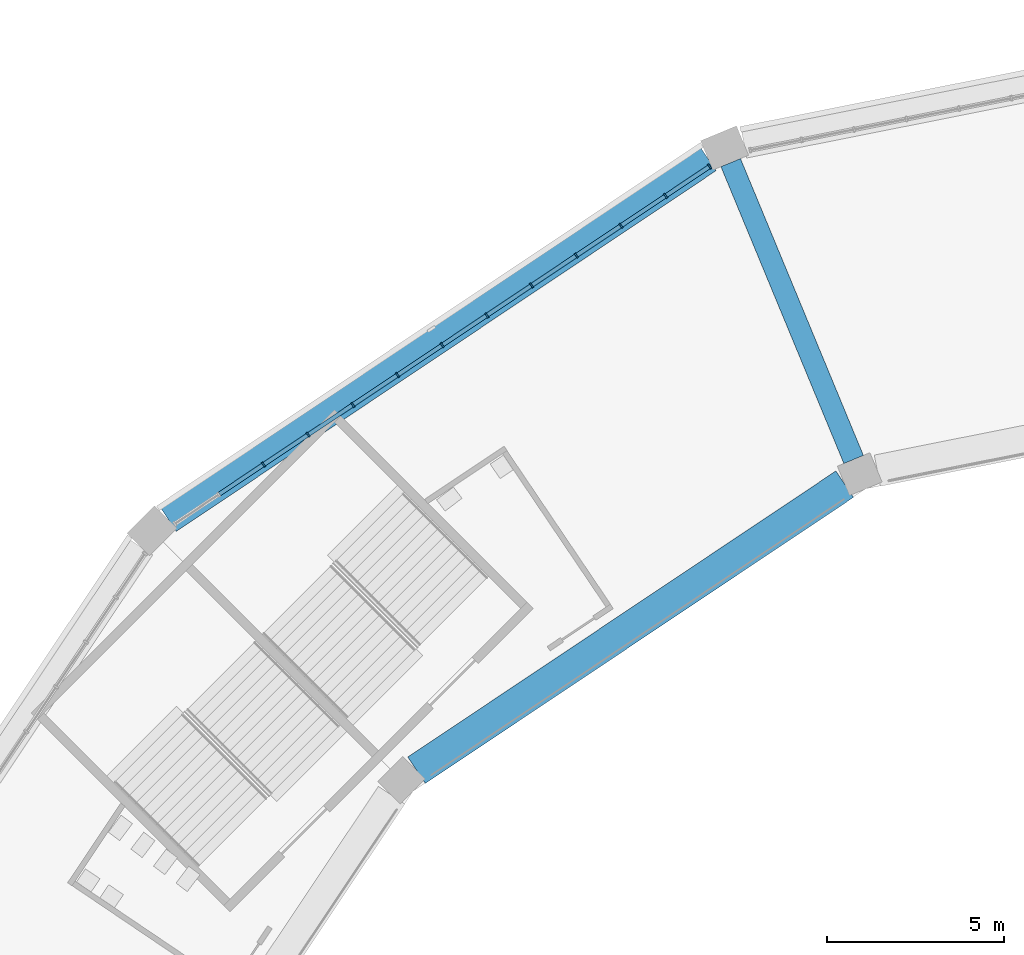
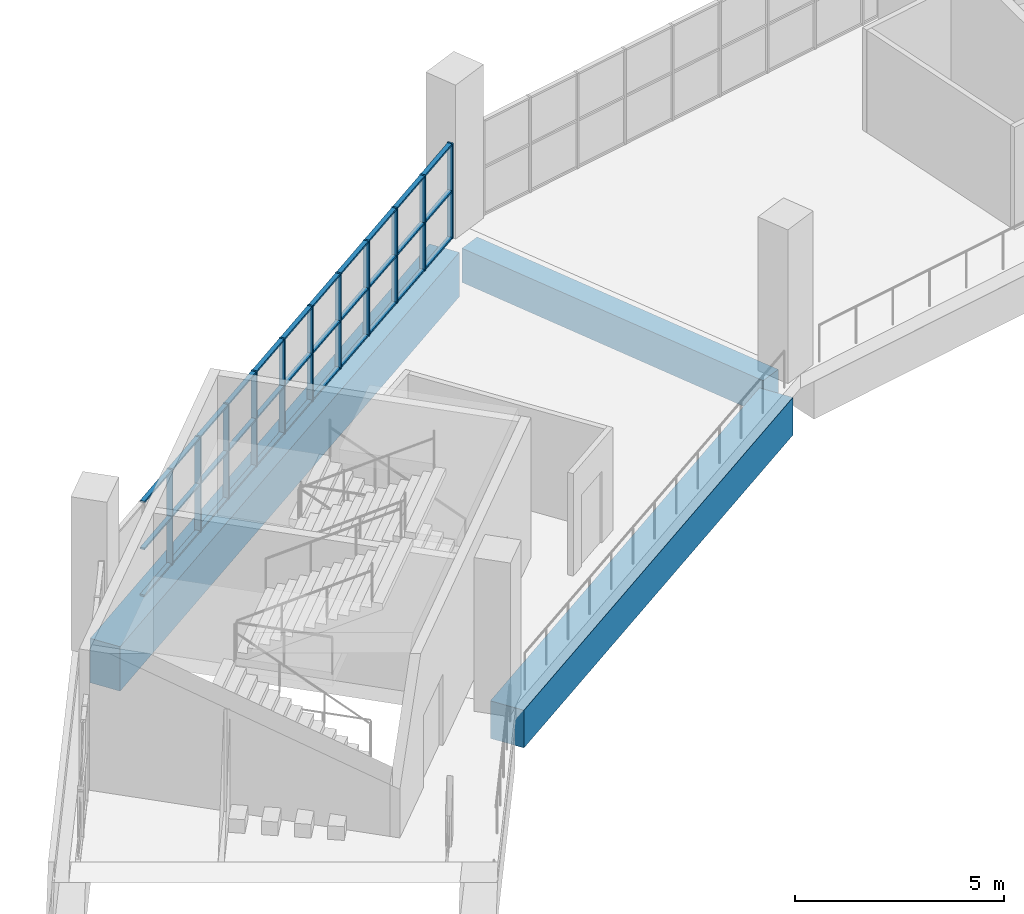
# One storey, part 30 of 177: 44 members, 3 beams, 1 element without a shape of its own.
"""IFC4 building model written with IfcOpenShell, lengths in metres."""

from ifc_helpers import new_model, si_unit, direction, frame, origin, origin_2d, place, context, subcontext, project, spatial, rectangle, extrude, material, material_profile, profile_set, type_object, element, aggregate, save


model = new_model("IFC4")

# Units and contexts
model_context = context("Model", 3, precision=1e-05, world=origin(), true_north=direction((0.0, 1.0)))
body_context = subcontext(model_context, "Body", "Model", "MODEL_VIEW")
ifc_project = project(units=[si_unit("LENGTHUNIT", "METRE"), si_unit("AREAUNIT", "SQUARE_METRE"), si_unit("VOLUMEUNIT", "CUBIC_METRE"), si_unit("PLANEANGLEUNIT", "RADIAN"), si_unit("MASSUNIT", "GRAM", prefix="KILO")], contexts=[model_context])

# Site, building, storey
site_placement = place(None, origin())
site = spatial("IfcSite", under=ifc_project, at=site_placement, CompositionType="ELEMENT")
building_placement = place(site_placement, origin())
building = spatial("IfcBuilding", under=site, at=building_placement, Name="Ogive Plaza Stadium", CompositionType="ELEMENT")
storey_placement = place(building_placement, frame((0.0, 0.0, 18.0)))
storey = spatial("IfcBuildingStorey", under=building, at=storey_placement, Name="L04", CompositionType="ELEMENT", Elevation=18.0)

# Curtain wall, members
ifc_material_1 = material(Name="Bronze-anodised aluminium with laminated glass", Category="aluminium")
curtain_wall_type = type_object("IfcCurtainWallType", Name="Lancet curtain wall", PredefinedType="NOTDEFINED", material=ifc_material_1)
curtain_wall_placement = place(storey_placement, origin())
curtain_wall = element("IfcCurtainWall", 1, at=curtain_wall_placement, inside=storey, type_object=curtain_wall_type, Name="CURTAIN WALL B30 L04", PredefinedType="NOTDEFINED")
ifc_material_2 = material(Name="Bronze-anodised aluminium", Category="aluminium")
ifc_material_profile_1 = material_profile(ifc_material_2, rectangle(XDim=0.14990234375, YDim=0.050048828125, at=origin_2d()), Name="AL 150x50")
ifc_profile_set_1 = profile_set([ifc_material_profile_1], Name="Bronze-anodised aluminium")
member_type_1 = type_object("IfcMemberType", Name="Curtain wall mullion 50x150", PredefinedType="MULLION", material=ifc_profile_set_1)
member_1_placement = place(storey_placement, frame((-66.19677734375, 89.725341796875, 0.0), z_axis=(0.0, 0.0, 1.0), x_axis=(-0.55557023302, 0.831469612303, 0.0)))
member_1 = element("IfcMember", 2, at=member_1_placement, type_object=member_type_1, Name="CW-B30-L04 mullion 3", PredefinedType="MULLION", context=body_context, shape_type="SweptSolid", body=[
    extrude(rectangle(XDim=0.14990234375, YDim=0.050048828125, at=origin_2d()), origin(), (0.0, 0.0, 1.0), 2.7900390625),
])
member_2_placement = place(storey_placement, frame((-64.930908203125, 90.571044921875, 0.0), z_axis=(0.0, 0.0, 1.0), x_axis=(-0.55557023302, 0.831469612303, 0.0)))
member_2 = element("IfcMember", 3, at=member_2_placement, type_object=member_type_1, Name="CW-B30-L04 mullion 4", PredefinedType="MULLION", context=body_context, shape_type="SweptSolid", body=[
    extrude(rectangle(XDim=0.14990234375, YDim=0.050048828125, at=origin_2d()), origin(), (0.0, 0.0, 1.0), 2.7900390625),
])
member_3_placement = place(storey_placement, frame((-63.665283203125, 91.416748046875, 0.0), z_axis=(0.0, 0.0, 1.0), x_axis=(-0.55557023302, 0.831469612303, 0.0)))
member_3 = element("IfcMember", 4, at=member_3_placement, type_object=member_type_1, Name="CW-B30-L04 mullion 5", PredefinedType="MULLION", context=body_context, shape_type="SweptSolid", body=[
    extrude(rectangle(XDim=0.14990234375, YDim=0.050048828125, at=origin_2d()), origin(), (0.0, 0.0, 1.0), 2.7900390625),
])
member_4_placement = place(storey_placement, frame((-62.3994140625, 92.2626953125, 0.0), z_axis=(0.0, 0.0, 1.0), x_axis=(-0.55557023302, 0.831469612303, 0.0)))
member_4 = element("IfcMember", 5, at=member_4_placement, type_object=member_type_1, Name="CW-B30-L04 mullion 6", PredefinedType="MULLION", context=body_context, shape_type="SweptSolid", body=[
    extrude(rectangle(XDim=0.14990234375, YDim=0.050048828125, at=origin_2d()), origin(), (0.0, 0.0, 1.0), 2.7900390625),
])
member_5_placement = place(storey_placement, frame((-61.133544921875, 93.1083984375, 0.0), z_axis=(0.0, 0.0, 1.0), x_axis=(-0.55557023302, 0.831469612303, 0.0)))
member_5 = element("IfcMember", 6, at=member_5_placement, type_object=member_type_1, Name="CW-B30-L04 mullion 7", PredefinedType="MULLION", context=body_context, shape_type="SweptSolid", body=[
    extrude(rectangle(XDim=0.14990234375, YDim=0.050048828125, at=origin_2d()), origin(), (0.0, 0.0, 1.0), 2.7900390625),
])
member_6_placement = place(storey_placement, frame((-59.867919921875, 93.9541015625, 0.0), z_axis=(0.0, 0.0, 1.0), x_axis=(-0.55557023302, 0.831469612303, 0.0)))
member_6 = element("IfcMember", 7, at=member_6_placement, type_object=member_type_1, Name="CW-B30-L04 mullion 8", PredefinedType="MULLION", context=body_context, shape_type="SweptSolid", body=[
    extrude(rectangle(XDim=0.14990234375, YDim=0.050048828125, at=origin_2d()), origin(), (0.0, 0.0, 1.0), 2.7900390625),
])
member_7_placement = place(storey_placement, frame((-58.60205078125, 94.7998046875, 0.0), z_axis=(0.0, 0.0, 1.0), x_axis=(-0.55557023302, 0.831469612303, 0.0)))
member_7 = element("IfcMember", 8, at=member_7_placement, type_object=member_type_1, Name="CW-B30-L04 mullion 9", PredefinedType="MULLION", context=body_context, shape_type="SweptSolid", body=[
    extrude(rectangle(XDim=0.14990234375, YDim=0.050048828125, at=origin_2d()), origin(), (0.0, 0.0, 1.0), 2.7900390625),
])
member_8_placement = place(storey_placement, frame((-57.336181640625, 95.645751953125, 0.0), z_axis=(0.0, 0.0, 1.0), x_axis=(-0.55557023302, 0.831469612303, 0.0)))
member_8 = element("IfcMember", 9, at=member_8_placement, type_object=member_type_1, Name="CW-B30-L04 mullion 10", PredefinedType="MULLION", context=body_context, shape_type="SweptSolid", body=[
    extrude(rectangle(XDim=0.14990234375, YDim=0.050048828125, at=origin_2d()), origin(), (0.0, 0.0, 1.0), 2.7900390625),
])
member_9_placement = place(storey_placement, frame((-56.070556640625, 96.491455078125, 0.0), z_axis=(0.0, 0.0, 1.0), x_axis=(-0.55557023302, 0.831469612303, 0.0)))
member_9 = element("IfcMember", 10, at=member_9_placement, type_object=member_type_1, Name="CW-B30-L04 mullion 11", PredefinedType="MULLION", context=body_context, shape_type="SweptSolid", body=[
    extrude(rectangle(XDim=0.14990234375, YDim=0.050048828125, at=origin_2d()), origin(), (0.0, 0.0, 1.0), 2.7900390625),
])
member_10_placement = place(storey_placement, frame((-54.8046875, 97.337158203125, 0.0), z_axis=(0.0, 0.0, 1.0), x_axis=(-0.55557023302, 0.831469612303, 0.0)))
member_10 = element("IfcMember", 11, at=member_10_placement, type_object=member_type_1, Name="CW-B30-L04 mullion 12", PredefinedType="MULLION", context=body_context, shape_type="SweptSolid", body=[
    extrude(rectangle(XDim=0.14990234375, YDim=0.050048828125, at=origin_2d()), origin(), (0.0, 0.0, 1.0), 2.7900390625),
])
member_11_placement = place(storey_placement, frame((-53.559814453125, 98.169189453125, 0.0), z_axis=(0.0, 0.0, 1.0), x_axis=(-0.55557023302, 0.831469612303, 0.0)))
member_11 = element("IfcMember", 12, at=member_11_placement, type_object=member_type_1, Name="CW-B30-L04 mullion 13", PredefinedType="MULLION", context=body_context, shape_type="SweptSolid", body=[
    extrude(rectangle(XDim=0.14990234375, YDim=0.050048828125, at=origin_2d()), origin(), (0.0, 0.0, 1.0), 2.7900390625),
])
ifc_material_3 = material(Name="Bronze-anodised aluminium", Category="aluminium")
ifc_material_profile_2 = material_profile(ifc_material_3, rectangle(XDim=0.1201171875, YDim=0.050048828125, at=origin_2d()), Name="AL 120x50")
ifc_profile_set_2 = profile_set([ifc_material_profile_2], Name="Bronze-anodised aluminium")
member_type_2 = type_object("IfcMemberType", Name="Curtain wall transom 50x120", PredefinedType="USERDEFINED", material=ifc_profile_set_2)
member_12_placement = place(storey_placement, frame((-67.441650390625, 88.893310546875, 0.02490234375), z_axis=(0.831411982446, 0.555656472512, 0.0), x_axis=(-0.555656472512, 0.831411982446, 0.0)))
member_12 = element("IfcMember", 13, at=member_12_placement, type_object=member_type_2, Name="CW-B30-L04 transom 2.1", ObjectType="TRANSOM", PredefinedType="USERDEFINED", context=body_context, shape_type="SweptSolid", body=[
    extrude(rectangle(XDim=0.1201171875, YDim=0.050048828125, at=origin_2d()), origin(), (0.0, 0.0, 1.0), 1.472412109375),
])
member_13_placement = place(storey_placement, frame((-67.441650390625, 88.893310546875, 1.39501953125), z_axis=(0.831411982446, 0.555656472512, 0.0), x_axis=(-0.555656472512, 0.831411982446, 0.0)))
member_13 = element("IfcMember", 14, at=member_13_placement, type_object=member_type_2, Name="CW-B30-L04 transom 2.2", ObjectType="TRANSOM", PredefinedType="USERDEFINED", context=body_context, shape_type="SweptSolid", body=[
    extrude(rectangle(XDim=0.1201171875, YDim=0.050048828125, at=origin_2d()), origin(), (0.0, 0.0, 1.0), 1.472412109375),
])
member_14_placement = place(storey_placement, frame((-67.441650390625, 88.893310546875, 2.764892578125), z_axis=(0.831411982446, 0.555656472512, 0.0), x_axis=(-0.555656472512, 0.831411982446, 0.0)))
member_14 = element("IfcMember", 15, at=member_14_placement, type_object=member_type_2, Name="CW-B30-L04 transom 2.3", ObjectType="TRANSOM", PredefinedType="USERDEFINED", context=body_context, shape_type="SweptSolid", body=[
    extrude(rectangle(XDim=0.1201171875, YDim=0.050048828125, at=origin_2d()), origin(), (0.0, 0.0, 1.0), 1.472412109375),
])
member_15_placement = place(storey_placement, frame((-66.176025390625, 89.7392578125, 0.02490234375), z_axis=(0.83153975619, 0.555465240925, 0.0), x_axis=(-0.555465240925, 0.83153975619, 0.0)))
member_15 = element("IfcMember", 16, at=member_15_placement, type_object=member_type_2, Name="CW-B30-L04 transom 3.1", ObjectType="TRANSOM", PredefinedType="USERDEFINED", context=body_context, shape_type="SweptSolid", body=[
    extrude(rectangle(XDim=0.1201171875, YDim=0.050048828125, at=origin_2d()), origin(), (0.0, 0.0, 1.0), 1.472412109375),
])
member_16_placement = place(storey_placement, frame((-66.176025390625, 89.7392578125, 1.39501953125), z_axis=(0.83153975619, 0.555465240925, 0.0), x_axis=(-0.555465240925, 0.83153975619, 0.0)))
member_16 = element("IfcMember", 17, at=member_16_placement, type_object=member_type_2, Name="CW-B30-L04 transom 3.2", ObjectType="TRANSOM", PredefinedType="USERDEFINED", context=body_context, shape_type="SweptSolid", body=[
    extrude(rectangle(XDim=0.1201171875, YDim=0.050048828125, at=origin_2d()), origin(), (0.0, 0.0, 1.0), 1.472412109375),
])
member_17_placement = place(storey_placement, frame((-66.176025390625, 89.7392578125, 2.764892578125), z_axis=(0.83153975619, 0.555465240925, 0.0), x_axis=(-0.555465240925, 0.83153975619, 0.0)))
member_17 = element("IfcMember", 18, at=member_17_placement, type_object=member_type_2, Name="CW-B30-L04 transom 3.3", ObjectType="TRANSOM", PredefinedType="USERDEFINED", context=body_context, shape_type="SweptSolid", body=[
    extrude(rectangle(XDim=0.1201171875, YDim=0.050048828125, at=origin_2d()), origin(), (0.0, 0.0, 1.0), 1.472412109375),
])
member_18_placement = place(storey_placement, frame((-64.91015625, 90.5849609375, 0.02490234375), z_axis=(0.831488586159, 0.555541835587, 0.0), x_axis=(-0.555541835587, 0.831488586159, 0.0)))
member_18 = element("IfcMember", 19, at=member_18_placement, type_object=member_type_2, Name="CW-B30-L04 transom 4.1", ObjectType="TRANSOM", PredefinedType="USERDEFINED", context=body_context, shape_type="SweptSolid", body=[
    extrude(rectangle(XDim=0.1201171875, YDim=0.050048828125, at=origin_2d()), origin(), (0.0, 0.0, 1.0), 1.47216796875),
])
member_19_placement = place(storey_placement, frame((-64.91015625, 90.5849609375, 1.39501953125), z_axis=(0.831488586159, 0.555541835587, 0.0), x_axis=(-0.555541835587, 0.831488586159, 0.0)))
member_19 = element("IfcMember", 20, at=member_19_placement, type_object=member_type_2, Name="CW-B30-L04 transom 4.2", ObjectType="TRANSOM", PredefinedType="USERDEFINED", context=body_context, shape_type="SweptSolid", body=[
    extrude(rectangle(XDim=0.1201171875, YDim=0.050048828125, at=origin_2d()), origin(), (0.0, 0.0, 1.0), 1.47216796875),
])
member_20_placement = place(storey_placement, frame((-64.91015625, 90.5849609375, 2.764892578125), z_axis=(0.831488586159, 0.555541835587, 0.0), x_axis=(-0.555541835587, 0.831488586159, 0.0)))
member_20 = element("IfcMember", 21, at=member_20_placement, type_object=member_type_2, Name="CW-B30-L04 transom 4.3", ObjectType="TRANSOM", PredefinedType="USERDEFINED", context=body_context, shape_type="SweptSolid", body=[
    extrude(rectangle(XDim=0.1201171875, YDim=0.050048828125, at=origin_2d()), origin(), (0.0, 0.0, 1.0), 1.47216796875),
])
member_21_placement = place(storey_placement, frame((-63.64453125, 91.4306640625, 0.02490234375), z_axis=(0.831463168883, 0.555579876157, 0.0), x_axis=(-0.555579876157, 0.831463168883, 0.0)))
member_21 = element("IfcMember", 22, at=member_21_placement, type_object=member_type_2, Name="CW-B30-L04 transom 5.1", ObjectType="TRANSOM", PredefinedType="USERDEFINED", context=body_context, shape_type="SweptSolid", body=[
    extrude(rectangle(XDim=0.1201171875, YDim=0.050048828125, at=origin_2d()), origin(), (0.0, 0.0, 1.0), 1.47265625),
])
member_22_placement = place(storey_placement, frame((-63.64453125, 91.4306640625, 1.39501953125), z_axis=(0.831463168883, 0.555579876157, 0.0), x_axis=(-0.555579876157, 0.831463168883, 0.0)))
member_22 = element("IfcMember", 23, at=member_22_placement, type_object=member_type_2, Name="CW-B30-L04 transom 5.2", ObjectType="TRANSOM", PredefinedType="USERDEFINED", context=body_context, shape_type="SweptSolid", body=[
    extrude(rectangle(XDim=0.1201171875, YDim=0.050048828125, at=origin_2d()), origin(), (0.0, 0.0, 1.0), 1.47265625),
])
member_23_placement = place(storey_placement, frame((-63.64453125, 91.4306640625, 2.764892578125), z_axis=(0.831463168883, 0.555579876157, 0.0), x_axis=(-0.555579876157, 0.831463168883, 0.0)))
member_23 = element("IfcMember", 24, at=member_23_placement, type_object=member_type_2, Name="CW-B30-L04 transom 5.3", ObjectType="TRANSOM", PredefinedType="USERDEFINED", context=body_context, shape_type="SweptSolid", body=[
    extrude(rectangle(XDim=0.1201171875, YDim=0.050048828125, at=origin_2d()), origin(), (0.0, 0.0, 1.0), 1.47265625),
])
member_24_placement = place(storey_placement, frame((-62.378662109375, 92.2763671875, 0.02490234375), z_axis=(0.831411982446, 0.555656472512, 0.0), x_axis=(-0.555656472512, 0.831411982446, 0.0)))
member_24 = element("IfcMember", 25, at=member_24_placement, type_object=member_type_2, Name="CW-B30-L04 transom 6.1", ObjectType="TRANSOM", PredefinedType="USERDEFINED", context=body_context, shape_type="SweptSolid", body=[
    extrude(rectangle(XDim=0.1201171875, YDim=0.050048828125, at=origin_2d()), origin(), (0.0, 0.0, 1.0), 1.472412109375),
])
member_25_placement = place(storey_placement, frame((-62.378662109375, 92.2763671875, 1.39501953125), z_axis=(0.831411982446, 0.555656472512, 0.0), x_axis=(-0.555656472512, 0.831411982446, 0.0)))
member_25 = element("IfcMember", 26, at=member_25_placement, type_object=member_type_2, Name="CW-B30-L04 transom 6.2", ObjectType="TRANSOM", PredefinedType="USERDEFINED", context=body_context, shape_type="SweptSolid", body=[
    extrude(rectangle(XDim=0.1201171875, YDim=0.050048828125, at=origin_2d()), origin(), (0.0, 0.0, 1.0), 1.472412109375),
])
member_26_placement = place(storey_placement, frame((-62.378662109375, 92.2763671875, 2.764892578125), z_axis=(0.831411982446, 0.555656472512, 0.0), x_axis=(-0.555656472512, 0.831411982446, 0.0)))
member_26 = element("IfcMember", 27, at=member_26_placement, type_object=member_type_2, Name="CW-B30-L04 transom 6.3", ObjectType="TRANSOM", PredefinedType="USERDEFINED", context=body_context, shape_type="SweptSolid", body=[
    extrude(rectangle(XDim=0.1201171875, YDim=0.050048828125, at=origin_2d()), origin(), (0.0, 0.0, 1.0), 1.472412109375),
])
member_27_placement = place(storey_placement, frame((-61.11279296875, 93.122314453125, 0.02490234375), z_axis=(0.831488586159, 0.555541835587, 0.0), x_axis=(-0.555541835587, 0.831488586159, 0.0)))
member_27 = element("IfcMember", 28, at=member_27_placement, type_object=member_type_2, Name="CW-B30-L04 transom 7.1", ObjectType="TRANSOM", PredefinedType="USERDEFINED", context=body_context, shape_type="SweptSolid", body=[
    extrude(rectangle(XDim=0.1201171875, YDim=0.050048828125, at=origin_2d()), origin(), (0.0, 0.0, 1.0), 1.47216796875),
])
member_28_placement = place(storey_placement, frame((-61.11279296875, 93.122314453125, 1.39501953125), z_axis=(0.831488586159, 0.555541835587, 0.0), x_axis=(-0.555541835587, 0.831488586159, 0.0)))
member_28 = element("IfcMember", 29, at=member_28_placement, type_object=member_type_2, Name="CW-B30-L04 transom 7.2", ObjectType="TRANSOM", PredefinedType="USERDEFINED", context=body_context, shape_type="SweptSolid", body=[
    extrude(rectangle(XDim=0.1201171875, YDim=0.050048828125, at=origin_2d()), origin(), (0.0, 0.0, 1.0), 1.47216796875),
])
member_29_placement = place(storey_placement, frame((-61.11279296875, 93.122314453125, 2.764892578125), z_axis=(0.831488586159, 0.555541835587, 0.0), x_axis=(-0.555541835587, 0.831488586159, 0.0)))
member_29 = element("IfcMember", 30, at=member_29_placement, type_object=member_type_2, Name="CW-B30-L04 transom 7.3", ObjectType="TRANSOM", PredefinedType="USERDEFINED", context=body_context, shape_type="SweptSolid", body=[
    extrude(rectangle(XDim=0.1201171875, YDim=0.050048828125, at=origin_2d()), origin(), (0.0, 0.0, 1.0), 1.47216796875),
])
member_30_placement = place(storey_placement, frame((-59.84716796875, 93.968017578125, 0.02490234375), z_axis=(0.831463168883, 0.555579876157, 0.0), x_axis=(-0.555579876157, 0.831463168883, 0.0)))
member_30 = element("IfcMember", 31, at=member_30_placement, type_object=member_type_2, Name="CW-B30-L04 transom 8.1", ObjectType="TRANSOM", PredefinedType="USERDEFINED", context=body_context, shape_type="SweptSolid", body=[
    extrude(rectangle(XDim=0.1201171875, YDim=0.050048828125, at=origin_2d()), origin(), (0.0, 0.0, 1.0), 1.47265625),
])
member_31_placement = place(storey_placement, frame((-59.84716796875, 93.968017578125, 1.39501953125), z_axis=(0.831463168883, 0.555579876157, 0.0), x_axis=(-0.555579876157, 0.831463168883, 0.0)))
member_31 = element("IfcMember", 32, at=member_31_placement, type_object=member_type_2, Name="CW-B30-L04 transom 8.2", ObjectType="TRANSOM", PredefinedType="USERDEFINED", context=body_context, shape_type="SweptSolid", body=[
    extrude(rectangle(XDim=0.1201171875, YDim=0.050048828125, at=origin_2d()), origin(), (0.0, 0.0, 1.0), 1.47265625),
])
member_32_placement = place(storey_placement, frame((-59.84716796875, 93.968017578125, 2.764892578125), z_axis=(0.831463168883, 0.555579876157, 0.0), x_axis=(-0.555579876157, 0.831463168883, 0.0)))
member_32 = element("IfcMember", 33, at=member_32_placement, type_object=member_type_2, Name="CW-B30-L04 transom 8.3", ObjectType="TRANSOM", PredefinedType="USERDEFINED", context=body_context, shape_type="SweptSolid", body=[
    extrude(rectangle(XDim=0.1201171875, YDim=0.050048828125, at=origin_2d()), origin(), (0.0, 0.0, 1.0), 1.47265625),
])
member_33_placement = place(storey_placement, frame((-58.581298828125, 94.813720703125, 0.02490234375), z_axis=(0.831411982446, 0.555656472512, 0.0), x_axis=(-0.555656472512, 0.831411982446, 0.0)))
member_33 = element("IfcMember", 34, at=member_33_placement, type_object=member_type_2, Name="CW-B30-L04 transom 9.1", ObjectType="TRANSOM", PredefinedType="USERDEFINED", context=body_context, shape_type="SweptSolid", body=[
    extrude(rectangle(XDim=0.1201171875, YDim=0.050048828125, at=origin_2d()), origin(), (0.0, 0.0, 1.0), 1.472412109375),
])
member_34_placement = place(storey_placement, frame((-58.581298828125, 94.813720703125, 1.39501953125), z_axis=(0.831411982446, 0.555656472512, 0.0), x_axis=(-0.555656472512, 0.831411982446, 0.0)))
member_34 = element("IfcMember", 35, at=member_34_placement, type_object=member_type_2, Name="CW-B30-L04 transom 9.2", ObjectType="TRANSOM", PredefinedType="USERDEFINED", context=body_context, shape_type="SweptSolid", body=[
    extrude(rectangle(XDim=0.1201171875, YDim=0.050048828125, at=origin_2d()), origin(), (0.0, 0.0, 1.0), 1.472412109375),
])
member_35_placement = place(storey_placement, frame((-58.581298828125, 94.813720703125, 2.764892578125), z_axis=(0.831411982446, 0.555656472512, 0.0), x_axis=(-0.555656472512, 0.831411982446, 0.0)))
member_35 = element("IfcMember", 36, at=member_35_placement, type_object=member_type_2, Name="CW-B30-L04 transom 9.3", ObjectType="TRANSOM", PredefinedType="USERDEFINED", context=body_context, shape_type="SweptSolid", body=[
    extrude(rectangle(XDim=0.1201171875, YDim=0.050048828125, at=origin_2d()), origin(), (0.0, 0.0, 1.0), 1.472412109375),
])
member_36_placement = place(storey_placement, frame((-57.3154296875, 95.65966796875, 0.02490234375), z_axis=(0.831488586159, 0.555541835587, 0.0), x_axis=(-0.555541835587, 0.831488586159, 0.0)))
member_36 = element("IfcMember", 37, at=member_36_placement, type_object=member_type_2, Name="CW-B30-L04 transom 10.1", ObjectType="TRANSOM", PredefinedType="USERDEFINED", context=body_context, shape_type="SweptSolid", body=[
    extrude(rectangle(XDim=0.1201171875, YDim=0.050048828125, at=origin_2d()), origin(), (0.0, 0.0, 1.0), 1.47216796875),
])
member_37_placement = place(storey_placement, frame((-57.3154296875, 95.65966796875, 1.39501953125), z_axis=(0.831488586159, 0.555541835587, 0.0), x_axis=(-0.555541835587, 0.831488586159, 0.0)))
member_37 = element("IfcMember", 38, at=member_37_placement, type_object=member_type_2, Name="CW-B30-L04 transom 10.2", ObjectType="TRANSOM", PredefinedType="USERDEFINED", context=body_context, shape_type="SweptSolid", body=[
    extrude(rectangle(XDim=0.1201171875, YDim=0.050048828125, at=origin_2d()), origin(), (0.0, 0.0, 1.0), 1.47216796875),
])
member_38_placement = place(storey_placement, frame((-57.3154296875, 95.65966796875, 2.764892578125), z_axis=(0.831488586159, 0.555541835587, 0.0), x_axis=(-0.555541835587, 0.831488586159, 0.0)))
member_38 = element("IfcMember", 39, at=member_38_placement, type_object=member_type_2, Name="CW-B30-L04 transom 10.3", ObjectType="TRANSOM", PredefinedType="USERDEFINED", context=body_context, shape_type="SweptSolid", body=[
    extrude(rectangle(XDim=0.1201171875, YDim=0.050048828125, at=origin_2d()), origin(), (0.0, 0.0, 1.0), 1.47216796875),
])
member_39_placement = place(storey_placement, frame((-56.0498046875, 96.50537109375, 0.02490234375), z_axis=(0.83153975619, 0.555465240925, 0.0), x_axis=(-0.555465240925, 0.83153975619, 0.0)))
member_39 = element("IfcMember", 40, at=member_39_placement, type_object=member_type_2, Name="CW-B30-L04 transom 11.1", ObjectType="TRANSOM", PredefinedType="USERDEFINED", context=body_context, shape_type="SweptSolid", body=[
    extrude(rectangle(XDim=0.1201171875, YDim=0.050048828125, at=origin_2d()), origin(), (0.0, 0.0, 1.0), 1.472412109375),
])
member_40_placement = place(storey_placement, frame((-56.0498046875, 96.50537109375, 1.39501953125), z_axis=(0.83153975619, 0.555465240925, 0.0), x_axis=(-0.555465240925, 0.83153975619, 0.0)))
member_40 = element("IfcMember", 41, at=member_40_placement, type_object=member_type_2, Name="CW-B30-L04 transom 11.2", ObjectType="TRANSOM", PredefinedType="USERDEFINED", context=body_context, shape_type="SweptSolid", body=[
    extrude(rectangle(XDim=0.1201171875, YDim=0.050048828125, at=origin_2d()), origin(), (0.0, 0.0, 1.0), 1.472412109375),
])
member_41_placement = place(storey_placement, frame((-56.0498046875, 96.50537109375, 2.764892578125), z_axis=(0.83153975619, 0.555465240925, 0.0), x_axis=(-0.555465240925, 0.83153975619, 0.0)))
member_41 = element("IfcMember", 42, at=member_41_placement, type_object=member_type_2, Name="CW-B30-L04 transom 11.3", ObjectType="TRANSOM", PredefinedType="USERDEFINED", context=body_context, shape_type="SweptSolid", body=[
    extrude(rectangle(XDim=0.1201171875, YDim=0.050048828125, at=origin_2d()), origin(), (0.0, 0.0, 1.0), 1.472412109375),
])
member_42_placement = place(storey_placement, frame((-54.783935546875, 97.35107421875, 0.02490234375), z_axis=(0.831426948977, 0.555634077892, 0.0), x_axis=(-0.555634077892, 0.831426948977, 0.0)))
member_42 = element("IfcMember", 43, at=member_42_placement, type_object=member_type_2, Name="CW-B30-L04 transom 12.1", ObjectType="TRANSOM", PredefinedType="USERDEFINED", context=body_context, shape_type="SweptSolid", body=[
    extrude(rectangle(XDim=0.1201171875, YDim=0.050048828125, at=origin_2d()), origin(), (0.0, 0.0, 1.0), 1.447265625),
])
member_43_placement = place(storey_placement, frame((-54.783935546875, 97.35107421875, 1.39501953125), z_axis=(0.831426948977, 0.555634077892, 0.0), x_axis=(-0.555634077892, 0.831426948977, 0.0)))
member_43 = element("IfcMember", 44, at=member_43_placement, type_object=member_type_2, Name="CW-B30-L04 transom 12.2", ObjectType="TRANSOM", PredefinedType="USERDEFINED", context=body_context, shape_type="SweptSolid", body=[
    extrude(rectangle(XDim=0.1201171875, YDim=0.050048828125, at=origin_2d()), origin(), (0.0, 0.0, 1.0), 1.447265625),
])
member_44_placement = place(storey_placement, frame((-54.783935546875, 97.35107421875, 2.764892578125), z_axis=(0.831426948977, 0.555634077892, 0.0), x_axis=(-0.555634077892, 0.831426948977, 0.0)))
member_44 = element("IfcMember", 45, at=member_44_placement, type_object=member_type_2, Name="CW-B30-L04 transom 12.3", ObjectType="TRANSOM", PredefinedType="USERDEFINED", context=body_context, shape_type="SweptSolid", body=[
    extrude(rectangle(XDim=0.1201171875, YDim=0.050048828125, at=origin_2d()), origin(), (0.0, 0.0, 1.0), 1.447265625),
])
aggregate(curtain_wall, [member_1, member_2, member_3, member_4, member_5, member_6, member_7, member_8, member_9, member_10, member_11, member_12, member_13, member_14, member_15, member_16, member_17, member_18, member_19, member_20, member_21, member_22, member_23, member_24, member_25, member_26, member_27, member_28, member_29, member_30, member_31, member_32, member_33, member_34, member_35, member_36, member_37, member_38, member_39, member_40, member_41, member_42, member_43, member_44])

# Beams
ifc_material_4 = material(Name="Concrete C40/50", Category="concrete")
ifc_material_profile_3 = material_profile(ifc_material_4, rectangle(XDim=0.60009765625, YDim=1.0, at=origin_2d()), Name="RC 600x1000")
ifc_profile_set_3 = profile_set([ifc_material_profile_3], Name="Concrete C40/50")
beam_type_1 = type_object("IfcBeamType", Name="RC radial beam 600x1000", PredefinedType="BEAM", material=ifc_profile_set_3)
beam_1_placement = place(storey_placement, frame((-49.4794921875, 89.870849609375, -0.909912109375), z_axis=(-0.382677193504, 0.923882116707, 0.0), x_axis=(-0.923882116707, -0.382677193504, 0.0)))
element("IfcBeam", 46, at=beam_1_placement, inside=storey, type_object=beam_type_1, Name="Radial beam L04 R31 F4F5", PredefinedType="BEAM", context=body_context, shape_type="SweptSolid", body=[
    extrude(rectangle(XDim=0.60009765625, YDim=1.0, at=origin_2d()), origin(), (0.0, 0.0, 1.0), 9.10009765625),
])
ifc_material_5 = material(Name="Concrete C40/50", Category="concrete")
ifc_material_profile_4 = material_profile(ifc_material_5, rectangle(XDim=0.89990234375, YDim=1.10009765625, at=origin_2d()), Name="RC 900x1100")
ifc_profile_set_4 = profile_set([ifc_material_profile_4], Name="Concrete C40/50")
beam_type_2 = type_object("IfcBeamType", Name="RC ring beam 900x1100", PredefinedType="BEAM", material=ifc_profile_set_4)
beam_2_placement = place(storey_placement, frame((-61.8603515625, 81.0673828125, -0.9599609375), z_axis=(0.831467933961, 0.555572744827, 0.0), x_axis=(-0.555572744827, 0.831467933961, 0.0)))
element("IfcBeam", 47, at=beam_2_placement, inside=storey, type_object=beam_type_2, Name="Ring beam F4 L04 B30", PredefinedType="BEAM", context=body_context, shape_type="SweptSolid", body=[
    extrude(rectangle(XDim=0.89990234375, YDim=1.10009765625, at=origin_2d()), origin(), (0.0, 0.0, 1.0), 14.587646484375),
])
ifc_material_6 = material(Name="Concrete C40/50", Category="concrete")
ifc_material_profile_5 = material_profile(ifc_material_6, rectangle(XDim=0.800048828125, YDim=1.300048828125, at=origin_2d()), Name="RC 800x1300")
ifc_profile_set_5 = profile_set([ifc_material_profile_5], Name="Concrete C40/50")
beam_type_3 = type_object("IfcBeamType", Name="RC spandrel beam 800x1300", PredefinedType="SPANDREL", material=ifc_profile_set_5)
beam_3_placement = place(storey_placement, frame((-68.88916015625, 88.1669921875, -1.06005859375), z_axis=(0.831477897484, 0.555557833169, 0.0), x_axis=(-0.555557833169, 0.831477897484, 0.0)))
element("IfcBeam", 48, at=beam_3_placement, inside=storey, type_object=beam_type_3, Name="Ring beam F5 L04 B30", PredefinedType="SPANDREL", context=body_context, shape_type="SweptSolid", body=[
    extrude(rectangle(XDim=0.800048828125, YDim=1.300048828125, at=origin_2d()), origin(), (0.0, 0.0, 1.0), 18.387451171875),
])

save(model, "model.ifc")
